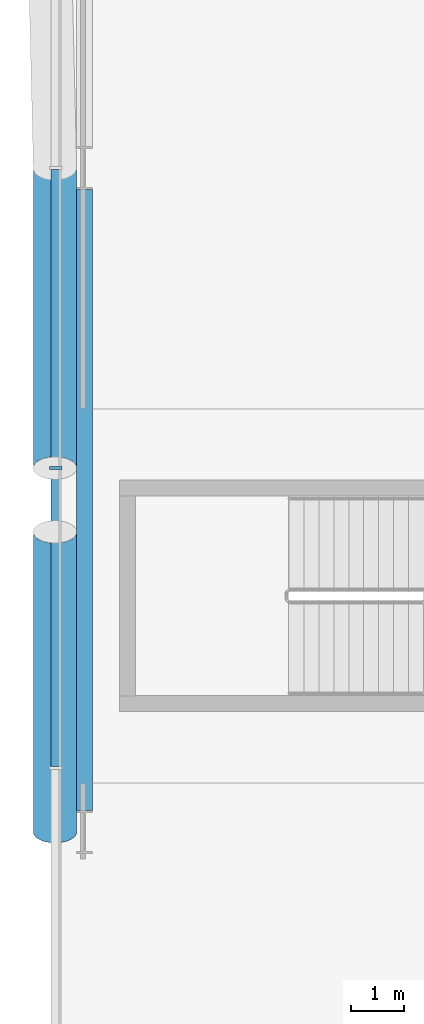
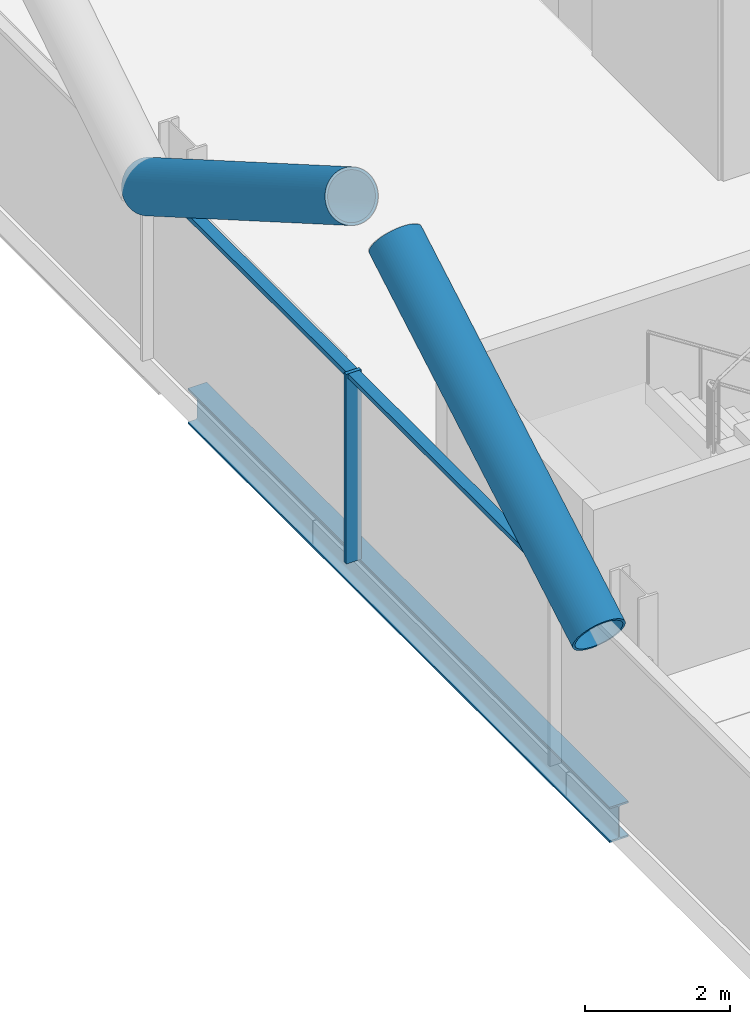
# One storey, part 6 of 30: 5 members, 1 beam, 1 element without a shape of its own.
"""IFC4 building model written with IfcOpenShell, lengths in metres."""

from ifc_helpers import new_model, si_unit, direction, frame, origin, origin_2d, place, context, subcontext, project, spatial, rectangle, hollow_circle, i_section, extrude, material, material_profile, profile_set, type_object, element, aggregate, save


model = new_model("IFC4")

# Units and contexts
model_context = context("Model", 3, precision=1e-05, world=origin(), true_north=direction((0.0, 1.0)))
body_context = subcontext(model_context, "Body", "Model", "MODEL_VIEW")
ifc_project = project(units=[si_unit("LENGTHUNIT", "METRE"), si_unit("AREAUNIT", "SQUARE_METRE"), si_unit("VOLUMEUNIT", "CUBIC_METRE"), si_unit("PLANEANGLEUNIT", "RADIAN"), si_unit("MASSUNIT", "GRAM", prefix="KILO")], contexts=[model_context])

# Site, building, storey
site_placement = place(None, origin())
site = spatial("IfcSite", under=ifc_project, at=site_placement, CompositionType="ELEMENT")
building_placement = place(site_placement, origin())
building = spatial("IfcBuilding", under=site, at=building_placement, Name="Wharfspan Tower", CompositionType="ELEMENT")
storey_placement = place(building_placement, frame((0.0, 0.0, 107.5)))
storey = spatial("IfcBuildingStorey", under=building, at=storey_placement, Name="L24", CompositionType="ELEMENT", Elevation=107.5)

# Beam
ifc_material_1 = material(Name="Steel S355J2", Category="steel")
ifc_material_profile_1 = material_profile(ifc_material_1, i_section(OverallWidth=0.300049, OverallDepth=0.600098, WebThickness=0.015381, FlangeThickness=0.030029, FilletRadius=0.0271, at=origin_2d()))
ifc_profile_set_1 = profile_set([ifc_material_profile_1], Name="Steel S355J2")
beam_type = type_object("IfcBeamType", Name="Edge beam HEB 600", PredefinedType="SPANDREL", material=ifc_profile_set_1)
beam_placement = place(storey_placement, frame((7.540039, 30.330322, -0.699951), z_axis=(0.0, -1.0, 0.0), x_axis=(1.0, 0.0, 0.0)))
element("IfcBeam", 1, at=beam_placement, inside=storey, type_object=beam_type, Name="Edge beam W L24 PW.1 to PW.2", PredefinedType="SPANDREL", context=body_context, shape_type="SweptSolid", body=[
    extrude(i_section(OverallWidth=0.300049, OverallDepth=0.600098, WebThickness=0.015381, FlangeThickness=0.030029, FilletRadius=0.0271, at=origin_2d()), origin(), (0.0, 0.0, 1.0), 11.660645),
])

# Curtain wall, member
ifc_material_2 = material(Name="Aluminium 6063-T6", Category="aluminium")
curtain_wall_type = type_object("IfcCurtainWallType", Name="CURTAIN WALL PROW AND END", PredefinedType="NOTDEFINED", material=ifc_material_2)
curtain_wall_placement = place(storey_placement, origin())
curtain_wall = element("IfcCurtainWall", 2, at=curtain_wall_placement, inside=storey, type_object=curtain_wall_type, Name="Curtain wall W", PredefinedType="NOTDEFINED")
ifc_material_profile_2 = material_profile(ifc_material_2, rectangle(XDim=0.23999, YDim=0.060059, at=origin_2d()))
ifc_profile_set_2 = profile_set([ifc_material_profile_2], Name="Aluminium 6063-T6")
member_type_1 = type_object("IfcMemberType", Name="MULLION PROW AND END 60x240", PredefinedType="MULLION", material=ifc_profile_set_2)
member_1_placement = place(storey_placement, frame((7.0, 25.100098, 0.0), z_axis=(0.0, 0.0, 1.0), x_axis=(1.0, 0.0, 0.0)))
member_1 = element("IfcMember", 3, at=member_1_placement, type_object=member_type_1, Name="Curtain wall W mullion 4", PredefinedType="MULLION", context=body_context, shape_type="SweptSolid", body=[
    extrude(rectangle(XDim=0.23999, YDim=0.060059, at=origin_2d()), origin(), (0.0, 0.0, 1.0), 3.199951),
])

# Members
ifc_material_3 = material(Name="Steel S460NH", Category="steel")
ifc_material_profile_3 = material_profile(ifc_material_3, hollow_circle(Radius=0.406494, WallThickness=0.040039, at=origin_2d()))
ifc_profile_set_3 = profile_set([ifc_material_profile_3], Name="Steel S460NH")
member_type_2 = type_object("IfcMemberType", Name="Mega brace CHS 813x40", PredefinedType="BRACE", material=ifc_profile_set_3)
for number, where, z_axis, x_axis, name in (
    (4, (6.985107, 30.733398, 2.899902), (0.0, -0.865959, 0.500115), (1.0, 0.0, 0.0), "Mega brace W3 L25 part 1"),
    (5, (6.985107, 18.266602, 2.899902), (0.0, 0.865959, 0.500115), (-1.0, 0.0, 0.0), "Mega brace W3 L25 part 3"),
):
    element("IfcMember", number, at=place(storey_placement, frame(where, z_axis=z_axis, x_axis=x_axis)), inside=storey, type_object=member_type_2, Name=name, PredefinedType="BRACE", context=body_context, shape_type="SweptSolid", body=[
        extrude(hollow_circle(Radius=0.406494, WallThickness=0.040039, at=origin_2d()), origin(), (0.0, 0.0, 1.0), 6.498535),
    ])

# Member
ifc_material_profile_4 = material_profile(ifc_material_2, rectangle(XDim=0.179932, YDim=0.080078, at=origin_2d()))
ifc_profile_set_4 = profile_set([ifc_material_profile_4], Name="Aluminium 6063-T6")
member_type_3 = type_object("IfcMemberType", Name="TRANSOM PROW AND END 80x180", PredefinedType="USERDEFINED", material=ifc_profile_set_4)
member_2_placement = place(storey_placement, frame((7.0, 30.703369, 3.159912), z_axis=(0.0, -1.0, 0.0), x_axis=(1.0, 0.0, 0.0)))
member_2 = element("IfcMember", 6, at=member_2_placement, type_object=member_type_3, Name="Curtain wall W transom 3", ObjectType="TRANSOM", PredefinedType="USERDEFINED", context=body_context, shape_type="SweptSolid", body=[
    extrude(rectangle(XDim=0.179932, YDim=0.080078, at=origin_2d()), origin(), (0.0, 0.0, 1.0), 5.573486),
])

member_3_placement = place(storey_placement, frame((7.0, 25.070068, 3.159912), z_axis=(0.0, -1.0, 0.0), x_axis=(1.0, 0.0, 0.0)))
member_3 = element("IfcMember", 7, at=member_3_placement, type_object=member_type_3, Name="Curtain wall W transom 4", ObjectType="TRANSOM", PredefinedType="USERDEFINED", context=body_context, shape_type="SweptSolid", body=[
    extrude(rectangle(XDim=0.179932, YDim=0.080078, at=origin_2d()), origin(), (0.0, 0.0, 1.0), 5.573486),
])

aggregate(curtain_wall, [member_1, member_2, member_3])

save(model, "model.ifc")
